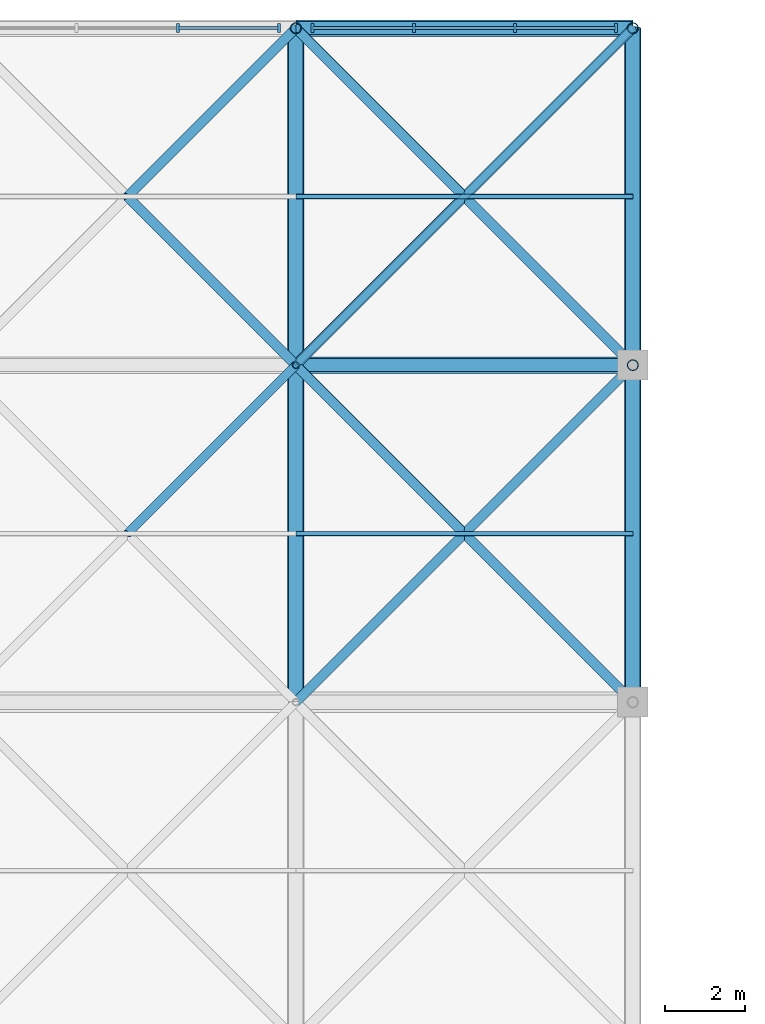
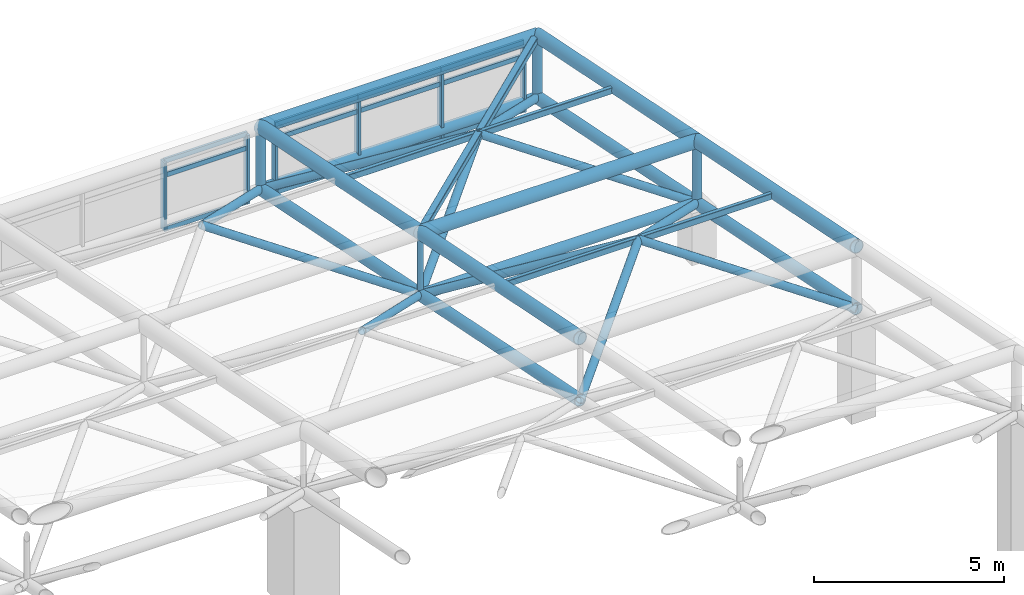
# One storey, part 57 of 81: 48 members, 2 elements without a shape of their own.
"""IFC4 building model written with IfcOpenShell, lengths in metres."""

from ifc_helpers import new_model, si_unit, direction, frame, origin, origin_2d, place, context, subcontext, project, spatial, rectangle, hollow_rectangle, hollow_circle, extrude, material, layer, layer_set, material_profile, profile_set, type_object, element, aggregate, save


model = new_model("IFC4")

# Units and contexts
model_context = context("Model", 3, precision=1e-05, world=origin(), true_north=direction((0.0, 1.0)))
body_context = subcontext(model_context, "Body", "Model", "MODEL_VIEW")
ifc_project = project(units=[si_unit("LENGTHUNIT", "METRE"), si_unit("AREAUNIT", "SQUARE_METRE"), si_unit("VOLUMEUNIT", "CUBIC_METRE"), si_unit("PLANEANGLEUNIT", "RADIAN"), si_unit("MASSUNIT", "GRAM", prefix="KILO")], contexts=[model_context])

# Site, building, storey
site_placement = place(None, origin())
site = spatial("IfcSite", under=ifc_project, at=site_placement, CompositionType="ELEMENT")
building_placement = place(site_placement, origin())
building = spatial("IfcBuilding", under=site, at=building_placement, Name="Qawsi Khor Wholesale Market", CompositionType="ELEMENT")
storey_placement = place(building_placement, frame((0.0, 0.0, 16.199951171875)))
storey = spatial("IfcBuildingStorey", under=building, at=storey_placement, Name="L03", CompositionType="ELEMENT", Elevation=16.199951171875)

# Curtain wall, members
ifc_material_1 = material(Name="Aluminium Anodised Bronze", Category="aluminium")
ifc_layer = layer(ifc_material_1, 0.199951171875, Name="Aluminium Anodised Bronze")
ifc_layer_set = layer_set([ifc_layer], Name="Aluminium Anodised Bronze")
curtain_wall_type = type_object("IfcCurtainWallType", Name="Trading Hall North-Light Curtain Wall CW-03", PredefinedType="NOTDEFINED", material=ifc_layer_set)
curtain_wall_1_placement = place(storey_placement, origin())
curtain_wall_1 = element("IfcCurtainWall", 1, at=curtain_wall_1_placement, inside=storey, type_object=curtain_wall_type, Name="Curtain wall CW-CW-03-L03-127", PredefinedType="NOTDEFINED")
ifc_material_profile_1 = material_profile(ifc_material_1, rectangle(XDim=0.074951171875, YDim=0.219970703125, at=origin_2d()), Name="ALU MULLION 75x220")
ifc_profile_set_1 = profile_set([ifc_material_profile_1], Name="Aluminium Anodised Bronze")
member_type_1 = type_object("IfcMemberType", Name="Curtain Wall Mullion CW-03 ALU MULLION 75x220", PredefinedType="MULLION", material=ifc_profile_set_1)
member_1_placement = place(storey_placement, frame((64.25927734375, 109.199951171875, -0.300048828125), z_axis=(0.0, 0.0, 1.0), x_axis=(1.0, 0.0, 0.0)))
member_1 = element("IfcMember", 2, at=member_1_placement, type_object=member_type_1, Name="Mullion CW-CW-03-L03-127-M02", PredefinedType="MULLION", context=body_context, shape_type="SweptSolid", body=[
    extrude(rectangle(XDim=0.074951171875, YDim=0.219970703125, at=origin_2d()), origin(), (0.0, 0.0, 1.0), 2.2001953125),
])
member_2_placement = place(storey_placement, frame((66.777587890625, 109.199951171875, -0.300048828125), z_axis=(0.0, 0.0, 1.0), x_axis=(1.0, 0.0, 0.0)))
member_2 = element("IfcMember", 3, at=member_2_placement, type_object=member_type_1, Name="Mullion CW-CW-03-L03-127-M03", PredefinedType="MULLION", context=body_context, shape_type="SweptSolid", body=[
    extrude(rectangle(XDim=0.074951171875, YDim=0.219970703125, at=origin_2d()), origin(), (0.0, 0.0, 1.0), 2.2001953125),
])

curtain_wall_2_placement = place(storey_placement, origin())
curtain_wall_2 = element("IfcCurtainWall", 4, at=curtain_wall_2_placement, inside=storey, type_object=curtain_wall_type, Name="Curtain wall CW-CW-03-L03-128", PredefinedType="NOTDEFINED")
member_3_placement = place(storey_placement, frame((67.62255859375, 109.199951171875, -0.300048828125), z_axis=(0.0, 0.0, 1.0), x_axis=(1.0, 0.0, 0.0)))
member_3 = element("IfcMember", 5, at=member_3_placement, type_object=member_type_1, Name="Mullion CW-CW-03-L03-128-M00", PredefinedType="MULLION", context=body_context, shape_type="SweptSolid", body=[
    extrude(rectangle(XDim=0.074951171875, YDim=0.219970703125, at=origin_2d()), origin(), (0.0, 0.0, 1.0), 2.2001953125),
])
member_4_placement = place(storey_placement, frame((70.140869140625, 109.199951171875, -0.300048828125), z_axis=(0.0, 0.0, 1.0), x_axis=(1.0, 0.0, 0.0)))
member_4 = element("IfcMember", 6, at=member_4_placement, type_object=member_type_1, Name="Mullion CW-CW-03-L03-128-M01", PredefinedType="MULLION", context=body_context, shape_type="SweptSolid", body=[
    extrude(rectangle(XDim=0.074951171875, YDim=0.219970703125, at=origin_2d()), origin(), (0.0, 0.0, 1.0), 2.2001953125),
])
member_5_placement = place(storey_placement, frame((72.6591796875, 109.199951171875, -0.300048828125), z_axis=(0.0, 0.0, 1.0), x_axis=(1.0, 0.0, 0.0)))
member_5 = element("IfcMember", 7, at=member_5_placement, type_object=member_type_1, Name="Mullion CW-CW-03-L03-128-M02", PredefinedType="MULLION", context=body_context, shape_type="SweptSolid", body=[
    extrude(rectangle(XDim=0.074951171875, YDim=0.219970703125, at=origin_2d()), origin(), (0.0, 0.0, 1.0), 2.2001953125),
])
member_6_placement = place(storey_placement, frame((75.177490234375, 109.199951171875, -0.300048828125), z_axis=(0.0, 0.0, 1.0), x_axis=(1.0, 0.0, 0.0)))
member_6 = element("IfcMember", 8, at=member_6_placement, type_object=member_type_1, Name="Mullion CW-CW-03-L03-128-M03", PredefinedType="MULLION", context=body_context, shape_type="SweptSolid", body=[
    extrude(rectangle(XDim=0.074951171875, YDim=0.219970703125, at=origin_2d()), origin(), (0.0, 0.0, 1.0), 2.2001953125),
])

# Member
ifc_material_profile_2 = material_profile(ifc_material_1, rectangle(XDim=0.070068359375, YDim=0.14990234375, at=origin_2d()), Name="ALU TRANSOM 70x150")
ifc_profile_set_2 = profile_set([ifc_material_profile_2], Name="Aluminium Anodised Bronze")
member_type_2 = type_object("IfcMemberType", Name="Curtain Wall Transom CW-03 ALU TRANSOM 70x150", PredefinedType="USERDEFINED", material=ifc_profile_set_2)
member_7_placement = place(storey_placement, frame((64.25927734375, 109.199951171875, -0.280029296875), z_axis=(1.0, 0.0, 0.0), x_axis=(0.0, 1.0, 0.0)))
member_7 = element("IfcMember", 9, at=member_7_placement, type_object=member_type_2, Name="Transom CW-CW-03-L03-127-T0_02", ObjectType="TRANSOM", PredefinedType="USERDEFINED", context=body_context, shape_type="SweptSolid", body=[
    extrude(rectangle(XDim=0.070068359375, YDim=0.14990234375, at=origin_2d()), origin(), (0.0, 0.0, 1.0), 2.518310546875),
])

member_8_placement = place(storey_placement, frame((64.25927734375, 109.199951171875, 1.449951171875), z_axis=(1.0, 0.0, 0.0), x_axis=(0.0, 1.0, 0.0)))
member_8 = element("IfcMember", 10, at=member_8_placement, type_object=member_type_2, Name="Transom CW-CW-03-L03-127-T1_02", ObjectType="TRANSOM", PredefinedType="USERDEFINED", context=body_context, shape_type="SweptSolid", body=[
    extrude(rectangle(XDim=0.070068359375, YDim=0.14990234375, at=origin_2d()), origin(), (0.0, 0.0, 1.0), 2.518310546875),
])

member_9_placement = place(storey_placement, frame((64.25927734375, 109.199951171875, 1.900146484375), z_axis=(1.0, 0.0, 0.0), x_axis=(0.0, 1.0, 0.0)))
member_9 = element("IfcMember", 11, at=member_9_placement, type_object=member_type_2, Name="Transom CW-CW-03-L03-127-T2_02", ObjectType="TRANSOM", PredefinedType="USERDEFINED", context=body_context, shape_type="SweptSolid", body=[
    extrude(rectangle(XDim=0.070068359375, YDim=0.14990234375, at=origin_2d()), origin(), (0.0, 0.0, 1.0), 2.518310546875),
])

aggregate(curtain_wall_1, [member_1, member_2, member_7, member_8, member_9])

member_10_placement = place(storey_placement, frame((67.62255859375, 109.199951171875, -0.280029296875), z_axis=(1.0, 0.0, 0.0), x_axis=(0.0, 1.0, 0.0)))
member_10 = element("IfcMember", 12, at=member_10_placement, type_object=member_type_2, Name="Transom CW-CW-03-L03-128-T0_00", ObjectType="TRANSOM", PredefinedType="USERDEFINED", context=body_context, shape_type="SweptSolid", body=[
    extrude(rectangle(XDim=0.070068359375, YDim=0.14990234375, at=origin_2d()), origin(), (0.0, 0.0, 1.0), 2.518310546875),
])

member_11_placement = place(storey_placement, frame((70.140869140625, 109.199951171875, -0.280029296875), z_axis=(1.0, 0.0, 0.0), x_axis=(0.0, 1.0, 0.0)))
member_11 = element("IfcMember", 13, at=member_11_placement, type_object=member_type_2, Name="Transom CW-CW-03-L03-128-T0_01", ObjectType="TRANSOM", PredefinedType="USERDEFINED", context=body_context, shape_type="SweptSolid", body=[
    extrude(rectangle(XDim=0.070068359375, YDim=0.14990234375, at=origin_2d()), origin(), (0.0, 0.0, 1.0), 2.518310546875),
])

member_12_placement = place(storey_placement, frame((72.6591796875, 109.199951171875, -0.280029296875), z_axis=(1.0, 0.0, 0.0), x_axis=(0.0, 1.0, 0.0)))
member_12 = element("IfcMember", 14, at=member_12_placement, type_object=member_type_2, Name="Transom CW-CW-03-L03-128-T0_02", ObjectType="TRANSOM", PredefinedType="USERDEFINED", context=body_context, shape_type="SweptSolid", body=[
    extrude(rectangle(XDim=0.070068359375, YDim=0.14990234375, at=origin_2d()), origin(), (0.0, 0.0, 1.0), 2.518310546875),
])

member_13_placement = place(storey_placement, frame((67.62255859375, 109.199951171875, 1.449951171875), z_axis=(1.0, 0.0, 0.0), x_axis=(0.0, 1.0, 0.0)))
member_13 = element("IfcMember", 15, at=member_13_placement, type_object=member_type_2, Name="Transom CW-CW-03-L03-128-T1_00", ObjectType="TRANSOM", PredefinedType="USERDEFINED", context=body_context, shape_type="SweptSolid", body=[
    extrude(rectangle(XDim=0.070068359375, YDim=0.14990234375, at=origin_2d()), origin(), (0.0, 0.0, 1.0), 2.518310546875),
])

member_14_placement = place(storey_placement, frame((70.140869140625, 109.199951171875, 1.449951171875), z_axis=(1.0, 0.0, 0.0), x_axis=(0.0, 1.0, 0.0)))
member_14 = element("IfcMember", 16, at=member_14_placement, type_object=member_type_2, Name="Transom CW-CW-03-L03-128-T1_01", ObjectType="TRANSOM", PredefinedType="USERDEFINED", context=body_context, shape_type="SweptSolid", body=[
    extrude(rectangle(XDim=0.070068359375, YDim=0.14990234375, at=origin_2d()), origin(), (0.0, 0.0, 1.0), 2.518310546875),
])

member_15_placement = place(storey_placement, frame((72.6591796875, 109.199951171875, 1.449951171875), z_axis=(1.0, 0.0, 0.0), x_axis=(0.0, 1.0, 0.0)))
member_15 = element("IfcMember", 17, at=member_15_placement, type_object=member_type_2, Name="Transom CW-CW-03-L03-128-T1_02", ObjectType="TRANSOM", PredefinedType="USERDEFINED", context=body_context, shape_type="SweptSolid", body=[
    extrude(rectangle(XDim=0.070068359375, YDim=0.14990234375, at=origin_2d()), origin(), (0.0, 0.0, 1.0), 2.518310546875),
])

member_16_placement = place(storey_placement, frame((67.62255859375, 109.199951171875, 1.900146484375), z_axis=(1.0, 0.0, 0.0), x_axis=(0.0, 1.0, 0.0)))
member_16 = element("IfcMember", 18, at=member_16_placement, type_object=member_type_2, Name="Transom CW-CW-03-L03-128-T2_00", ObjectType="TRANSOM", PredefinedType="USERDEFINED", context=body_context, shape_type="SweptSolid", body=[
    extrude(rectangle(XDim=0.070068359375, YDim=0.14990234375, at=origin_2d()), origin(), (0.0, 0.0, 1.0), 2.518310546875),
])

member_17_placement = place(storey_placement, frame((70.140869140625, 109.199951171875, 1.900146484375), z_axis=(1.0, 0.0, 0.0), x_axis=(0.0, 1.0, 0.0)))
member_17 = element("IfcMember", 19, at=member_17_placement, type_object=member_type_2, Name="Transom CW-CW-03-L03-128-T2_01", ObjectType="TRANSOM", PredefinedType="USERDEFINED", context=body_context, shape_type="SweptSolid", body=[
    extrude(rectangle(XDim=0.070068359375, YDim=0.14990234375, at=origin_2d()), origin(), (0.0, 0.0, 1.0), 2.518310546875),
])

member_18_placement = place(storey_placement, frame((72.6591796875, 109.199951171875, 1.900146484375), z_axis=(1.0, 0.0, 0.0), x_axis=(0.0, 1.0, 0.0)))
member_18 = element("IfcMember", 20, at=member_18_placement, type_object=member_type_2, Name="Transom CW-CW-03-L03-128-T2_02", ObjectType="TRANSOM", PredefinedType="USERDEFINED", context=body_context, shape_type="SweptSolid", body=[
    extrude(rectangle(XDim=0.070068359375, YDim=0.14990234375, at=origin_2d()), origin(), (0.0, 0.0, 1.0), 2.518310546875),
])

aggregate(curtain_wall_2, [member_3, member_4, member_5, member_6, member_10, member_11, member_12, member_13, member_14, member_15, member_16, member_17, member_18])

# Members
ifc_material_2 = material(Name="Steel S355", Category="steel")
ifc_material_profile_3 = material_profile(ifc_material_2, hollow_rectangle(XDim=0.199951171875, YDim=0.199951171875, WallThickness=0.010009765625, InnerFilletRadius=0.010009765625, OuterFilletRadius=0.02001953125, at=origin_2d()), Name="SHS 200x200x10.0")
ifc_profile_set_3 = profile_set([ifc_material_profile_3], Name="Steel S355")
member_type_3 = type_object("IfcMemberType", Name="Roof Plan Brace SHS 200x200x10.0", PredefinedType="BRACE", material=ifc_profile_set_3)
member_19_placement = place(storey_placement, frame((67.199951171875, 100.800048828125, 3.670166015625), z_axis=(0.699984294635, 0.699963950394, -0.14167729322), x_axis=(-0.707096505339, 0.707117056885, 0.0)))
element("IfcMember", 21, at=member_19_placement, inside=storey, type_object=member_type_3, Name="Space frame plan brace WH (8,12)", PredefinedType="BRACE", context=body_context, shape_type="SweptSolid", body=[
    extrude(hollow_rectangle(XDim=0.199951171875, YDim=0.199951171875, WallThickness=0.010009765625, InnerFilletRadius=0.010009765625, OuterFilletRadius=0.02001953125, at=origin_2d()), origin(), (0.0, 0.0, 1.0), 12.00048828125),
])
ifc_material_profile_4 = material_profile(ifc_material_2, hollow_circle(Radius=0.177734375, WallThickness=0.01611328125, at=origin_2d()), Name="CHS 355.6x16.0")
ifc_profile_set_4 = profile_set([ifc_material_profile_4], Name="Steel S355")
member_type_4 = type_object("IfcMemberType", Name="Space-Frame Bottom Chord CHS 355.6x16.0", PredefinedType="CHORD", material=ifc_profile_set_4)
for number, where, z_axis, x_axis, name in (
    (22, (67.199951171875, 92.39990234375, 3.3701171875), (0.0, 0.98013111127, -0.198350711418), (-1.0, 0.0, 0.0), "Space frame bottom chord Y WH (8,11)"),
    (23, (67.199951171875, 100.800048828125, 1.670166015625), (0.0, 0.9801244518, -0.198383615716), (-1.0, 0.0, 0.0), "Space frame bottom chord Y WH (8,12)"),
    (24, (75.60009765625, 92.39990234375, 3.3701171875), (0.0, 0.98013111127, -0.198350711418), (-1.0, 0.0, 0.0), "Space frame bottom chord Y WH (9,11)"),
    (25, (75.60009765625, 100.800048828125, 1.670166015625), (0.0, 0.9801244518, -0.198383615716), (-1.0, 0.0, 0.0), "Space frame bottom chord Y WH (9,12)"),
):
    element("IfcMember", number, at=place(storey_placement, frame(where, z_axis=z_axis, x_axis=x_axis)), inside=storey, type_object=member_type_4, Name=name, PredefinedType="CHORD", context=body_context, shape_type="SweptSolid", body=[
        extrude(hollow_circle(Radius=0.177734375, WallThickness=0.01611328125, at=origin_2d()), origin(), (0.0, 0.0, 1.0), 8.5703125),
    ])
ifc_material_profile_5 = material_profile(ifc_material_2, hollow_circle(Radius=0.136474609375, WallThickness=0.012451171875, at=origin_2d()), Name="CHS 273.0x12.5")
ifc_profile_set_5 = profile_set([ifc_material_profile_5], Name="Steel S355")
member_type_5 = type_object("IfcMemberType", Name="Space-Frame Edge Post CHS 273.0x12.5", PredefinedType="POST", material=ifc_profile_set_5)
for number, where, z_axis, x_axis, name in (
    (26, (67.199951171875, 109.199951171875, -0.030029296875), (0.0, 0.0, 1.0), (1.0, 0.0, 0.0), "Space frame post WH (8,13)"),
    (27, (75.60009765625, 100.800048828125, 1.670166015625), (0.0, 0.0, 1.0), (1.0, 0.0, 0.0), "Space frame post WH (9,12)"),
    (28, (75.60009765625, 109.199951171875, -0.030029296875), (0.0, 0.0, 1.0), (1.0, 0.0, 0.0), "Space frame post WH (9,13)"),
):
    element("IfcMember", number, at=place(storey_placement, frame(where, z_axis=z_axis, x_axis=x_axis)), inside=storey, type_object=member_type_5, Name=name, PredefinedType="POST", context=body_context, shape_type="SweptSolid", body=[
        extrude(hollow_circle(Radius=0.136474609375, WallThickness=0.012451171875, at=origin_2d()), origin(), (0.0, 0.0, 1.0), 2.0),
    ])
ifc_material_profile_6 = material_profile(ifc_material_2, hollow_circle(Radius=0.122314453125, WallThickness=0.012451171875, at=origin_2d()), Name="CHS 244.5x12.5")
ifc_profile_set_6 = profile_set([ifc_material_profile_6], Name="Steel S355")
member_type_6 = type_object("IfcMemberType", Name="Space-Frame Heavy Diagonal CHS 244.5x12.5", PredefinedType="POST", material=ifc_profile_set_6)
member_20_placement = place(storey_placement, frame((67.199951171875, 100.800048828125, 1.670166015625), z_axis=(-0.694216714393, 0.694216714393, 0.190069216113), x_axis=(-0.707106781187, -0.707106781187, 0.0)))
element("IfcMember", 29, at=member_20_placement, inside=storey, type_object=member_type_6, Name="Space frame diagonal WH (7,12)-2", PredefinedType="POST", context=body_context, shape_type="SweptSolid", body=[
    extrude(hollow_circle(Radius=0.122314453125, WallThickness=0.012451171875, at=origin_2d()), origin(), (0.0, 0.0, 1.0), 6.0498046875),
])
member_21_placement = place(storey_placement, frame((67.199951171875, 109.199951171875, -0.030029296875), z_axis=(-0.637511741089, -0.637511741089, 0.432617105474), x_axis=(0.707106781187, -0.707106781187, 0.0)))
element("IfcMember", 30, at=member_21_placement, inside=storey, type_object=member_type_6, Name="Space frame diagonal WH (7,12)-3", PredefinedType="POST", context=body_context, shape_type="SweptSolid", body=[
    extrude(hollow_circle(Radius=0.122314453125, WallThickness=0.012451171875, at=origin_2d()), origin(), (0.0, 0.0, 1.0), 6.588134765625),
])
member_22_placement = place(storey_placement, frame((67.199951171875, 92.39990234375, 3.3701171875), z_axis=(0.694197266374, 0.694237619642, 0.19006389145), x_axis=(-0.707127332136, 0.70708622964, 0.0)))
element("IfcMember", 31, at=member_22_placement, inside=storey, type_object=member_type_6, Name="Space frame diagonal WH (8,11)-1", PredefinedType="POST", context=body_context, shape_type="SweptSolid", body=[
    extrude(hollow_circle(Radius=0.122314453125, WallThickness=0.012451171875, at=origin_2d()), origin(), (0.0, 0.0, 1.0), 6.050048828125),
])
member_23_placement = place(storey_placement, frame((75.60009765625, 92.39990234375, 3.3701171875), z_axis=(-0.694218172126, 0.694218172126, 0.190058567235), x_axis=(-0.707106781187, -0.707106781187, 0.0)))
element("IfcMember", 32, at=member_23_placement, inside=storey, type_object=member_type_6, Name="Space frame diagonal WH (8,11)-2", PredefinedType="POST", context=body_context, shape_type="SweptSolid", body=[
    extrude(hollow_circle(Radius=0.122314453125, WallThickness=0.012451171875, at=origin_2d()), origin(), (0.0, 0.0, 1.0), 6.05029296875),
])
member_24_placement = place(storey_placement, frame((75.60009765625, 100.800048828125, 1.670166015625), z_axis=(-0.637543957519, -0.637506899628, 0.432576762155), x_axis=(0.70708622964, -0.707127332136, 0.0)))
element("IfcMember", 33, at=member_24_placement, inside=storey, type_object=member_type_6, Name="Space frame diagonal WH (8,11)-3", PredefinedType="POST", context=body_context, shape_type="SweptSolid", body=[
    extrude(hollow_circle(Radius=0.122314453125, WallThickness=0.012451171875, at=origin_2d()), origin(), (0.0, 0.0, 1.0), 6.588134765625),
])
member_25_placement = place(storey_placement, frame((67.199951171875, 100.800048828125, 1.670166015625), z_axis=(0.637521961484, -0.637521961484, 0.432586982294), x_axis=(0.707106781187, 0.707106781187, 0.0)))
element("IfcMember", 34, at=member_25_placement, inside=storey, type_object=member_type_6, Name="Space frame diagonal WH (8,11)-4", PredefinedType="POST", context=body_context, shape_type="SweptSolid", body=[
    extrude(hollow_circle(Radius=0.122314453125, WallThickness=0.012451171875, at=origin_2d()), origin(), (0.0, 0.0, 1.0), 6.587890625),
])
member_26_placement = place(storey_placement, frame((67.199951171875, 100.800048828125, 1.670166015625), z_axis=(0.694216714393, 0.694216714393, 0.190069216113), x_axis=(-0.707106781187, 0.707106781187, 0.0)))
element("IfcMember", 35, at=member_26_placement, inside=storey, type_object=member_type_6, Name="Space frame diagonal WH (8,12)-1", PredefinedType="POST", context=body_context, shape_type="SweptSolid", body=[
    extrude(hollow_circle(Radius=0.122314453125, WallThickness=0.012451171875, at=origin_2d()), origin(), (0.0, 0.0, 1.0), 6.0498046875),
])
member_27_placement = place(storey_placement, frame((75.60009765625, 100.800048828125, 1.670166015625), z_axis=(-0.694237619642, 0.694197266374, 0.19006389145), x_axis=(-0.70708622964, -0.707127332136, 0.0)))
element("IfcMember", 36, at=member_27_placement, inside=storey, type_object=member_type_6, Name="Space frame diagonal WH (8,12)-2", PredefinedType="POST", context=body_context, shape_type="SweptSolid", body=[
    extrude(hollow_circle(Radius=0.122314453125, WallThickness=0.012451171875, at=origin_2d()), origin(), (0.0, 0.0, 1.0), 6.050048828125),
])
for number, where, z_axis, x_axis, name in (
    (37, (75.60009765625, 109.199951171875, -0.030029296875), (-0.637533737254, -0.637496679957, 0.432606884951), (0.70708622964, -0.707127332136, 0.0), "Space frame diagonal WH (8,12)-3"),
    (38, (67.199951171875, 109.199951171875, -0.030029296875), (0.637511741089, -0.637511741089, 0.432617105474), (0.707106781187, 0.707106781187, 0.0), "Space frame diagonal WH (8,12)-4"),
):
    element("IfcMember", number, at=place(storey_placement, frame(where, z_axis=z_axis, x_axis=x_axis)), inside=storey, type_object=member_type_6, Name=name, PredefinedType="POST", context=body_context, shape_type="SweptSolid", body=[
        extrude(hollow_circle(Radius=0.122314453125, WallThickness=0.012451171875, at=origin_2d()), origin(), (0.0, 0.0, 1.0), 6.588134765625),
    ])
ifc_material_profile_7 = material_profile(ifc_material_2, hollow_rectangle(XDim=0.1201171875, YDim=0.199951171875, WallThickness=0.008056640625, InnerFilletRadius=0.008056640625, OuterFilletRadius=0.01611328125, at=origin_2d()), Name="RHS 200x120x8.0")
ifc_profile_set_7 = profile_set([ifc_material_profile_7], Name="Steel S355")
member_type_7 = type_object("IfcMemberType", Name="Space-Frame Heavy Purlin RHS 200x120x8.0", PredefinedType="PURLIN", material=ifc_profile_set_7)
for number, where, z_axis, x_axis, name in (
    (39, (67.199951171875, 96.60009765625, 4.52001953125), (1.0, 0.0, 0.0), (0.0, 1.0, 0.0), "Space frame purlin WH (8,11)"),
    (40, (67.199951171875, 105.0, 2.820068359375), (1.0, 0.0, 0.0), (0.0, 1.0, 0.0), "Space frame purlin WH (8,12)"),
):
    element("IfcMember", number, at=place(storey_placement, frame(where, z_axis=z_axis, x_axis=x_axis)), inside=storey, type_object=member_type_7, Name=name, PredefinedType="PURLIN", context=body_context, shape_type="SweptSolid", body=[
        extrude(hollow_rectangle(XDim=0.1201171875, YDim=0.199951171875, WallThickness=0.008056640625, InnerFilletRadius=0.008056640625, OuterFilletRadius=0.01611328125, at=origin_2d()), origin(), (0.0, 0.0, 1.0), 8.400146484375),
    ])
ifc_material_profile_8 = material_profile(ifc_material_2, hollow_circle(Radius=0.109619140625, WallThickness=0.010009765625, at=origin_2d()), Name="CHS 219.1x10.0")
ifc_profile_set_8 = profile_set([ifc_material_profile_8], Name="Steel S355")
member_type_8 = type_object("IfcMemberType", Name="Space-Frame Inner Diagonal CHS 219.1x10.0", PredefinedType="RAFTER", material=ifc_profile_set_8)
member_28_placement = place(storey_placement, frame((67.199951171875, 100.800048828125, 1.670166015625), z_axis=(-0.637521961484, -0.637521961484, 0.432586982294), x_axis=(0.707106781187, -0.707106781187, 0.0)))
element("IfcMember", 41, at=member_28_placement, inside=storey, type_object=member_type_8, Name="Space frame diagonal WH (7,11)-3", PredefinedType="RAFTER", context=body_context, shape_type="SweptSolid", body=[
    extrude(hollow_circle(Radius=0.109619140625, WallThickness=0.010009765625, at=origin_2d()), origin(), (0.0, 0.0, 1.0), 6.587890625),
])
ifc_material_profile_9 = material_profile(ifc_material_2, hollow_circle(Radius=0.161865234375, WallThickness=0.01611328125, at=origin_2d()), Name="CHS 323.9x16.0")
ifc_profile_set_9 = profile_set([ifc_material_profile_9], Name="Steel S355")
member_type_9 = type_object("IfcMemberType", Name="Space-Frame Secondary Chord CHS 323.9x16.0", PredefinedType="CHORD", material=ifc_profile_set_9)
for number, where, z_axis, x_axis, name in (
    (42, (67.199951171875, 100.800048828125, 1.670166015625), (1.0, 0.0, 0.0), (0.0, 1.0, 0.0), "Space frame bottom chord X WH (8,12)"),
    (43, (67.199951171875, 109.199951171875, -0.030029296875), (1.0, 0.0, 0.0), (0.0, 1.0, 0.0), "Space frame bottom chord X WH (8,13)"),
):
    element("IfcMember", number, at=place(storey_placement, frame(where, z_axis=z_axis, x_axis=x_axis)), inside=storey, type_object=member_type_9, Name=name, PredefinedType="CHORD", context=body_context, shape_type="SweptSolid", body=[
        extrude(hollow_circle(Radius=0.161865234375, WallThickness=0.01611328125, at=origin_2d()), origin(), (0.0, 0.0, 1.0), 8.400146484375),
    ])
ifc_material_profile_10 = material_profile(ifc_material_2, hollow_circle(Radius=0.203125, WallThickness=0.02001953125, at=origin_2d()), Name="CHS 406.4x20.0")
ifc_profile_set_10 = profile_set([ifc_material_profile_10], Name="Steel S355")
member_type_10 = type_object("IfcMemberType", Name="Space-Frame Top Chord CHS 406.4x20.0", PredefinedType="CHORD", material=ifc_profile_set_10)
member_29_placement = place(storey_placement, frame((67.199951171875, 92.39990234375, 5.3701171875), z_axis=(0.0, 0.98013111127, -0.198350711418), x_axis=(-1.0, 0.0, 0.0)))
element("IfcMember", 44, at=member_29_placement, inside=storey, type_object=member_type_10, Name="Space frame top chord Y WH (8,11)", PredefinedType="CHORD", context=body_context, shape_type="SweptSolid", body=[
    extrude(hollow_circle(Radius=0.203125, WallThickness=0.02001953125, at=origin_2d()), origin(), (0.0, 0.0, 1.0), 8.5703125),
])
member_30_placement = place(storey_placement, frame((67.199951171875, 100.800048828125, 3.670166015625), z_axis=(1.0, 0.0, 0.0), x_axis=(0.0, 1.0, 0.0)))
element("IfcMember", 45, at=member_30_placement, inside=storey, type_object=member_type_10, Name="Space frame top chord X WH (8,12)", PredefinedType="CHORD", context=body_context, shape_type="SweptSolid", body=[
    extrude(hollow_circle(Radius=0.203125, WallThickness=0.02001953125, at=origin_2d()), origin(), (0.0, 0.0, 1.0), 8.400146484375),
])
member_31_placement = place(storey_placement, frame((67.199951171875, 100.800048828125, 3.670166015625), z_axis=(0.0, 0.9801244518, -0.198383615716), x_axis=(-1.0, 0.0, 0.0)))
element("IfcMember", 46, at=member_31_placement, inside=storey, type_object=member_type_10, Name="Space frame top chord Y WH (8,12)", PredefinedType="CHORD", context=body_context, shape_type="SweptSolid", body=[
    extrude(hollow_circle(Radius=0.203125, WallThickness=0.02001953125, at=origin_2d()), origin(), (0.0, 0.0, 1.0), 8.5703125),
])
member_32_placement = place(storey_placement, frame((67.199951171875, 109.199951171875, 1.969970703125), z_axis=(1.0, 0.0, 0.0), x_axis=(0.0, 1.0, 0.0)))
element("IfcMember", 47, at=member_32_placement, inside=storey, type_object=member_type_10, Name="Space frame top chord X WH (8,13)", PredefinedType="CHORD", context=body_context, shape_type="SweptSolid", body=[
    extrude(hollow_circle(Radius=0.203125, WallThickness=0.02001953125, at=origin_2d()), origin(), (0.0, 0.0, 1.0), 8.400146484375),
])
for number, where, z_axis, x_axis, name in (
    (48, (75.60009765625, 92.39990234375, 5.3701171875), (0.0, 0.98013111127, -0.198350711418), (-1.0, 0.0, 0.0), "Space frame top chord Y WH (9,11)"),
    (49, (75.60009765625, 100.800048828125, 3.670166015625), (0.0, 0.9801244518, -0.198383615716), (-1.0, 0.0, 0.0), "Space frame top chord Y WH (9,12)"),
):
    element("IfcMember", number, at=place(storey_placement, frame(where, z_axis=z_axis, x_axis=x_axis)), inside=storey, type_object=member_type_10, Name=name, PredefinedType="CHORD", context=body_context, shape_type="SweptSolid", body=[
        extrude(hollow_circle(Radius=0.203125, WallThickness=0.02001953125, at=origin_2d()), origin(), (0.0, 0.0, 1.0), 8.5703125),
    ])
ifc_material_profile_11 = material_profile(ifc_material_2, hollow_circle(Radius=0.084228515625, WallThickness=0.008056640625, at=origin_2d()), Name="CHS 168.3x8.0")
ifc_profile_set_11 = profile_set([ifc_material_profile_11], Name="Steel S355")
member_type_11 = type_object("IfcMemberType", Name="Space-Frame Vertical Strut CHS 168.3x8.0", PredefinedType="STRUT", material=ifc_profile_set_11)
member_33_placement = place(storey_placement, frame((67.199951171875, 100.800048828125, 1.670166015625), z_axis=(0.0, 0.0, 1.0), x_axis=(1.0, 0.0, 0.0)))
element("IfcMember", 50, at=member_33_placement, inside=storey, type_object=member_type_11, Name="Space frame post WH (8,12)", PredefinedType="STRUT", context=body_context, shape_type="SweptSolid", body=[
    extrude(hollow_circle(Radius=0.084228515625, WallThickness=0.008056640625, at=origin_2d()), origin(), (0.0, 0.0, 1.0), 2.0),
])

save(model, "model.ifc")
